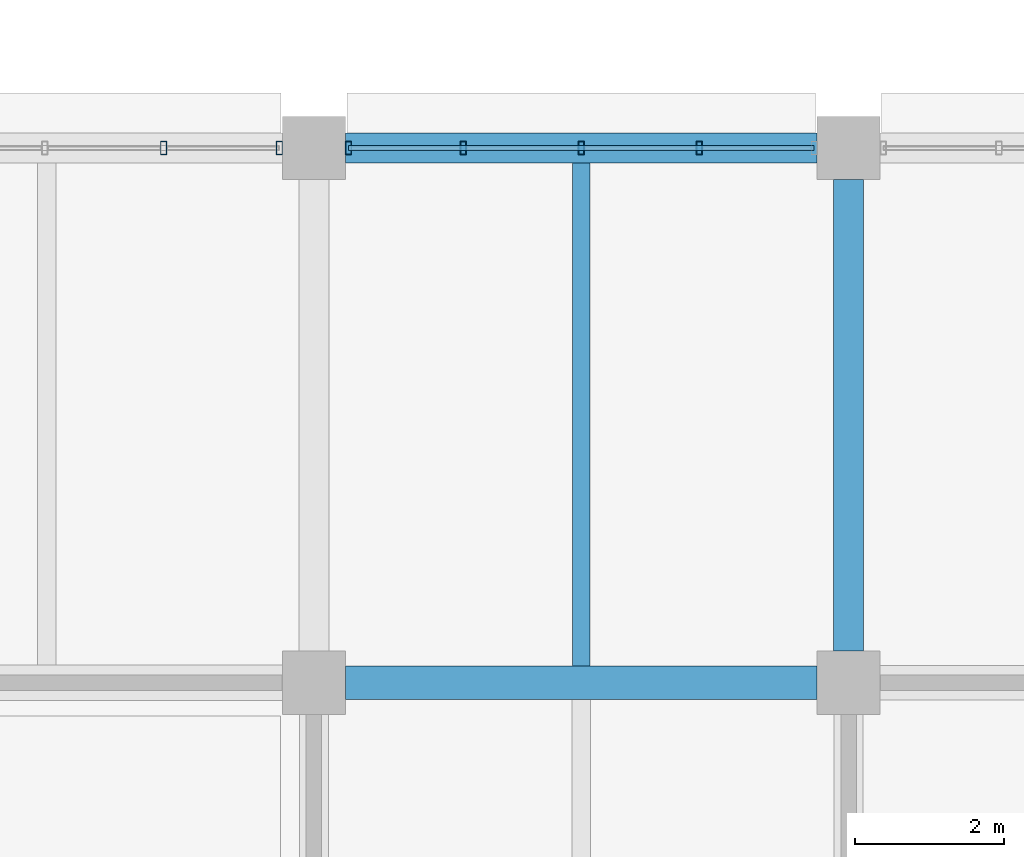
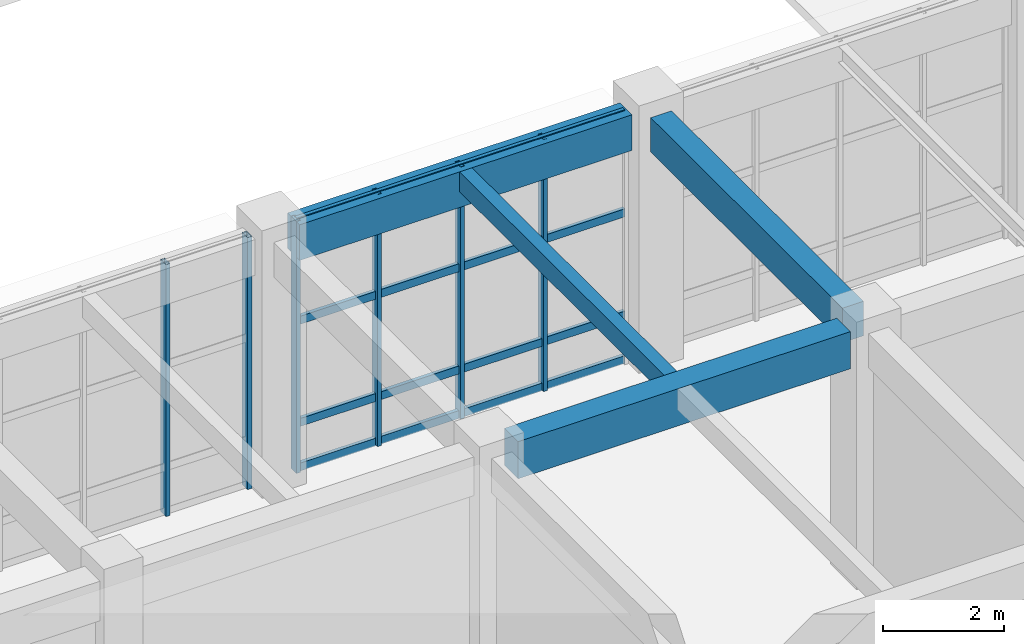
# One storey, part 31 of 160: 10 members, 4 beams, 2 elements without a shape of their own.
"""IFC4 building model written with IfcOpenShell, lengths in metres."""

from ifc_helpers import new_model, si_unit, direction, frame, origin, origin_2d, place, context, subcontext, project, spatial, rectangle, hollow_rectangle, extrude, material, material_profile, profile_set, type_object, element, aggregate, save


model = new_model("IFC4")

# Units and contexts
model_context = context("Model", 3, precision=1e-05, world=origin(), true_north=direction((0.0, 1.0)))
body_context = subcontext(model_context, "Body", "Model", "MODEL_VIEW")
ifc_project = project(units=[si_unit("LENGTHUNIT", "METRE"), si_unit("AREAUNIT", "SQUARE_METRE"), si_unit("VOLUMEUNIT", "CUBIC_METRE"), si_unit("PLANEANGLEUNIT", "RADIAN"), si_unit("MASSUNIT", "GRAM", prefix="KILO")], contexts=[model_context])

# Site, building, storey
site_placement = place(None, origin())
site = spatial("IfcSite", under=ifc_project, at=site_placement, CompositionType="ELEMENT")
building_placement = place(site_placement, origin())
building = spatial("IfcBuilding", under=site, at=building_placement, Name="Thalmaran Polytechnic", CompositionType="ELEMENT")
storey_placement = place(building_placement, origin())
storey = spatial("IfcBuildingStorey", under=building, at=storey_placement, Name="L00", CompositionType="ELEMENT", Elevation=0.0)

# Beams
ifc_material_1 = material(Name="Concrete C40/50", Category="concrete")
ifc_material_profile_1 = material_profile(ifc_material_1, rectangle(XDim=0.449951171875, YDim=0.75, at=origin_2d()), Name="RC 450x750")
ifc_profile_set_1 = profile_set([ifc_material_profile_1], Name="Concrete C40/50")
beam_type_1 = type_object("IfcBeamType", Name="BM-RC03", PredefinedType="BEAM", material=ifc_profile_set_1)
beam_1_placement = place(storey_placement, frame((79.625, 28.800048828125, 4.715087890625), z_axis=(1.0, 0.0, 0.0), x_axis=(0.0, 1.0, 0.0)))
element("IfcBeam", 1, at=beam_1_placement, inside=storey, type_object=beam_type_1, Name="Grid Beam B03 L00 X(11,4)", PredefinedType="BEAM", context=body_context, shape_type="SweptSolid", body=[
    extrude(rectangle(XDim=0.449951171875, YDim=0.75, at=origin_2d()), origin(), (0.0, 0.0, 1.0), 6.35009765625),
])
ifc_material_profile_2 = material_profile(ifc_material_1, rectangle(XDim=0.39990234375, YDim=0.719970703125, at=origin_2d()), Name="RC 400x720")
ifc_profile_set_2 = profile_set([ifc_material_profile_2], Name="Concrete C40/50")
beam_type_2 = type_object("IfcBeamType", Name="BM-SP01", PredefinedType="SPANDREL", material=ifc_profile_set_2)
beam_2_placement = place(storey_placement, frame((79.625, 36.0, 4.72998046875), z_axis=(1.0, 0.0, 0.0), x_axis=(0.0, 1.0, 0.0)))
element("IfcBeam", 2, at=beam_2_placement, inside=storey, type_object=beam_type_2, Name="Grid Beam SP01 L00 X(11,5)", PredefinedType="SPANDREL", context=body_context, shape_type="SweptSolid", body=[
    extrude(rectangle(XDim=0.39990234375, YDim=0.719970703125, at=origin_2d()), origin(), (0.0, 0.0, 1.0), 6.35009765625),
])
ifc_material_profile_3 = material_profile(ifc_material_1, rectangle(XDim=0.39990234375, YDim=0.695068359375, at=origin_2d()), Name="RC 400x695")
ifc_profile_set_3 = profile_set([ifc_material_profile_3], Name="Concrete C40/50")
beam_type_3 = type_object("IfcBeamType", Name="BM-ZB08", PredefinedType="BEAM", material=ifc_profile_set_3)
beam_3_placement = place(storey_placement, frame((86.39990234375, 29.22509765625, 4.742431640625), z_axis=(0.0, 1.0, 0.0), x_axis=(-1.0, 0.0, 0.0)))
element("IfcBeam", 3, at=beam_3_placement, inside=storey, type_object=beam_type_3, Name="Grid Beam ZB08 L00 Y(12,4)", PredefinedType="BEAM", context=body_context, shape_type="SweptSolid", body=[
    extrude(rectangle(XDim=0.39990234375, YDim=0.695068359375, at=origin_2d()), origin(), (0.0, 0.0, 1.0), 6.349853515625),
])
ifc_material_profile_4 = material_profile(ifc_material_1, rectangle(XDim=0.239990234375, YDim=0.39990234375, at=origin_2d()), Name="RC 240x400")
ifc_profile_set_4 = profile_set([ifc_material_profile_4], Name="Concrete C40/50")
beam_type_4 = type_object("IfcBeamType", Name="BM-ZJ04", PredefinedType="JOIST", material=ifc_profile_set_4)
beam_4_placement = place(storey_placement, frame((82.800048828125, 29.02490234375, 4.889892578125), z_axis=(0.0, 1.0, 0.0), x_axis=(-1.0, 0.0, 0.0)))
element("IfcBeam", 4, at=beam_4_placement, inside=storey, type_object=beam_type_4, Name="Secondary Floor Rib ZJ04 L00 (11,4)", PredefinedType="JOIST", context=body_context, shape_type="SweptSolid", body=[
    extrude(rectangle(XDim=0.239990234375, YDim=0.39990234375, at=origin_2d()), origin(), (0.0, 0.0, 1.0), 6.775146484375),
])

# Curtain wall, members
ifc_material_2 = material(Name="Aluminium 6063-T6", Category="aluminium")
curtain_wall_type = type_object("IfcCurtainWallType", Name="CW-UC01", PredefinedType="USERDEFINED", material=ifc_material_2)
curtain_wall_1_placement = place(storey_placement, origin())
curtain_wall_1 = element("IfcCurtainWall", 5, at=curtain_wall_1_placement, inside=storey, type_object=curtain_wall_type, Name="Curtain Wall CW-L00-056", ObjectType="UNITISED CURTAIN WALL", PredefinedType="USERDEFINED")
ifc_material_profile_5 = material_profile(ifc_material_2, hollow_rectangle(XDim=0.080078125, YDim=0.179931640625, WallThickness=0.0048828125, at=origin_2d()), Name="RHS 180x80x5.0")
ifc_profile_set_5 = profile_set([ifc_material_profile_5], Name="Aluminium 6063-T6")
member_type_1 = type_object("IfcMemberType", Name="CW-MUL1", PredefinedType="MULLION", material=ifc_profile_set_5)
member_1_placement = place(storey_placement, frame((77.175048828125, 36.0, 0.0), z_axis=(0.0, 0.0, 1.0), x_axis=(1.0, 0.0, 0.0)))
member_1 = element("IfcMember", 6, at=member_1_placement, type_object=member_type_1, Name="CW-L00-056 Mullion 4", PredefinedType="MULLION", context=body_context, shape_type="SweptSolid", body=[
    extrude(hollow_rectangle(XDim=0.080078125, YDim=0.179931640625, WallThickness=0.0048828125, at=origin_2d()), origin(), (0.0, 0.0, 1.0), 5.090087890625),
])
member_2_placement = place(storey_placement, frame((78.735107421875, 36.0, 0.0), z_axis=(0.0, 0.0, 1.0), x_axis=(1.0, 0.0, 0.0)))
member_2 = element("IfcMember", 7, at=member_2_placement, type_object=member_type_1, Name="CW-L00-056 Mullion 5", PredefinedType="MULLION", context=body_context, shape_type="SweptSolid", body=[
    extrude(hollow_rectangle(XDim=0.080078125, YDim=0.179931640625, WallThickness=0.0048828125, at=origin_2d()), origin(), (0.0, 0.0, 1.0), 5.090087890625),
])
aggregate(curtain_wall_1, [member_1, member_2])

curtain_wall_2_placement = place(storey_placement, origin())
curtain_wall_2 = element("IfcCurtainWall", 8, at=curtain_wall_2_placement, inside=storey, type_object=curtain_wall_type, Name="Curtain Wall CW-L00-057", ObjectType="UNITISED CURTAIN WALL", PredefinedType="USERDEFINED")
member_3_placement = place(storey_placement, frame((79.6650390625, 36.0, 0.0), z_axis=(0.0, 0.0, 1.0), x_axis=(1.0, 0.0, 0.0)))
member_3 = element("IfcMember", 9, at=member_3_placement, type_object=member_type_1, Name="CW-L00-057 Mullion 1", PredefinedType="MULLION", context=body_context, shape_type="SweptSolid", body=[
    extrude(hollow_rectangle(XDim=0.080078125, YDim=0.179931640625, WallThickness=0.0048828125, at=origin_2d()), origin(), (0.0, 0.0, 1.0), 5.090087890625),
])
member_4_placement = place(storey_placement, frame((81.21240234375, 36.0, 0.0), z_axis=(0.0, 0.0, 1.0), x_axis=(1.0, 0.0, 0.0)))
member_4 = element("IfcMember", 10, at=member_4_placement, type_object=member_type_1, Name="CW-L00-057 Mullion 2", PredefinedType="MULLION", context=body_context, shape_type="SweptSolid", body=[
    extrude(hollow_rectangle(XDim=0.080078125, YDim=0.179931640625, WallThickness=0.0048828125, at=origin_2d()), origin(), (0.0, 0.0, 1.0), 5.090087890625),
])
member_5_placement = place(storey_placement, frame((82.800048828125, 36.0, 0.0), z_axis=(0.0, 0.0, 1.0), x_axis=(1.0, 0.0, 0.0)))
member_5 = element("IfcMember", 11, at=member_5_placement, type_object=member_type_1, Name="CW-L00-057 Mullion 3", PredefinedType="MULLION", context=body_context, shape_type="SweptSolid", body=[
    extrude(hollow_rectangle(XDim=0.080078125, YDim=0.179931640625, WallThickness=0.0048828125, at=origin_2d()), origin(), (0.0, 0.0, 1.0), 5.090087890625),
])
member_6_placement = place(storey_placement, frame((84.387451171875, 36.0, 0.0), z_axis=(0.0, 0.0, 1.0), x_axis=(1.0, 0.0, 0.0)))
member_6 = element("IfcMember", 12, at=member_6_placement, type_object=member_type_1, Name="CW-L00-057 Mullion 4", PredefinedType="MULLION", context=body_context, shape_type="SweptSolid", body=[
    extrude(hollow_rectangle(XDim=0.080078125, YDim=0.179931640625, WallThickness=0.0048828125, at=origin_2d()), origin(), (0.0, 0.0, 1.0), 5.090087890625),
])
ifc_material_profile_6 = material_profile(ifc_material_2, hollow_rectangle(XDim=0.070068359375, YDim=0.159912109375, WallThickness=0.00390625, at=origin_2d()), Name="AL 160x70x4.0")
ifc_profile_set_6 = profile_set([ifc_material_profile_6], Name="Aluminium 6063-T6")
member_type_2 = type_object("IfcMemberType", Name="CW-TRN1", PredefinedType="USERDEFINED", material=ifc_profile_set_6)
member_7_placement = place(storey_placement, frame((79.6650390625, 36.0, 0.06005859375), z_axis=(1.0, 0.0, 0.0), x_axis=(0.0, 1.0, 0.0)))
member_7 = element("IfcMember", 13, at=member_7_placement, type_object=member_type_2, Name="CW-L00-057 Transom 1", ObjectType="TRANSOM", PredefinedType="USERDEFINED", context=body_context, shape_type="SweptSolid", body=[
    extrude(hollow_rectangle(XDim=0.070068359375, YDim=0.159912109375, WallThickness=0.00390625, at=origin_2d()), origin(), (0.0, 0.0, 1.0), 6.27001953125),
])
member_8_placement = place(storey_placement, frame((79.6650390625, 36.0, 0.9599609375), z_axis=(1.0, 0.0, 0.0), x_axis=(0.0, 1.0, 0.0)))
member_8 = element("IfcMember", 14, at=member_8_placement, type_object=member_type_2, Name="CW-L00-057 Transom 2", ObjectType="TRANSOM", PredefinedType="USERDEFINED", context=body_context, shape_type="SweptSolid", body=[
    extrude(hollow_rectangle(XDim=0.070068359375, YDim=0.159912109375, WallThickness=0.00390625, at=origin_2d()), origin(), (0.0, 0.0, 1.0), 6.27001953125),
])
member_9_placement = place(storey_placement, frame((79.6650390625, 36.0, 3.02490234375), z_axis=(1.0, 0.0, 0.0), x_axis=(0.0, 1.0, 0.0)))
member_9 = element("IfcMember", 15, at=member_9_placement, type_object=member_type_2, Name="CW-L00-057 Transom 3", ObjectType="TRANSOM", PredefinedType="USERDEFINED", context=body_context, shape_type="SweptSolid", body=[
    extrude(hollow_rectangle(XDim=0.070068359375, YDim=0.159912109375, WallThickness=0.00390625, at=origin_2d()), origin(), (0.0, 0.0, 1.0), 6.27001953125),
])
member_10_placement = place(storey_placement, frame((79.6650390625, 36.0, 5.030029296875), z_axis=(1.0, 0.0, 0.0), x_axis=(0.0, 1.0, 0.0)))
member_10 = element("IfcMember", 16, at=member_10_placement, type_object=member_type_2, Name="CW-L00-057 Transom 4", ObjectType="TRANSOM", PredefinedType="USERDEFINED", context=body_context, shape_type="SweptSolid", body=[
    extrude(hollow_rectangle(XDim=0.070068359375, YDim=0.159912109375, WallThickness=0.00390625, at=origin_2d()), origin(), (0.0, 0.0, 1.0), 6.27001953125),
])
aggregate(curtain_wall_2, [member_3, member_4, member_5, member_6, member_7, member_8, member_9, member_10])

save(model, "model.ifc")
